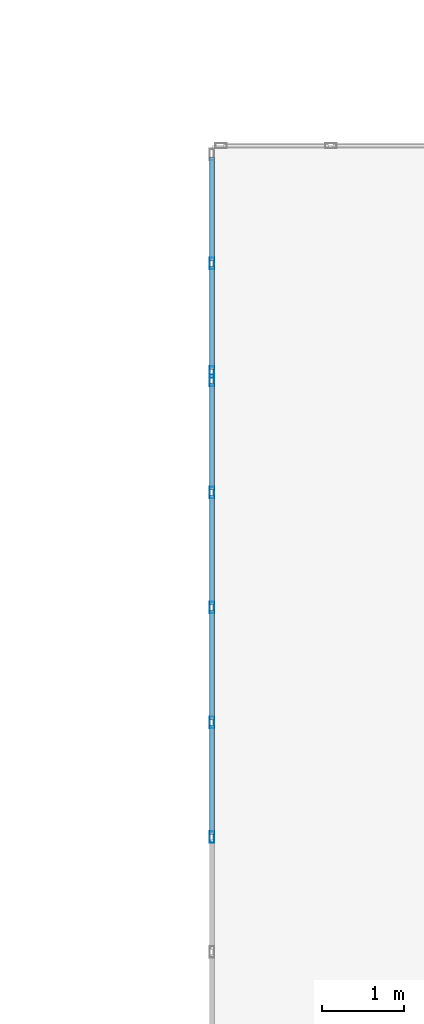
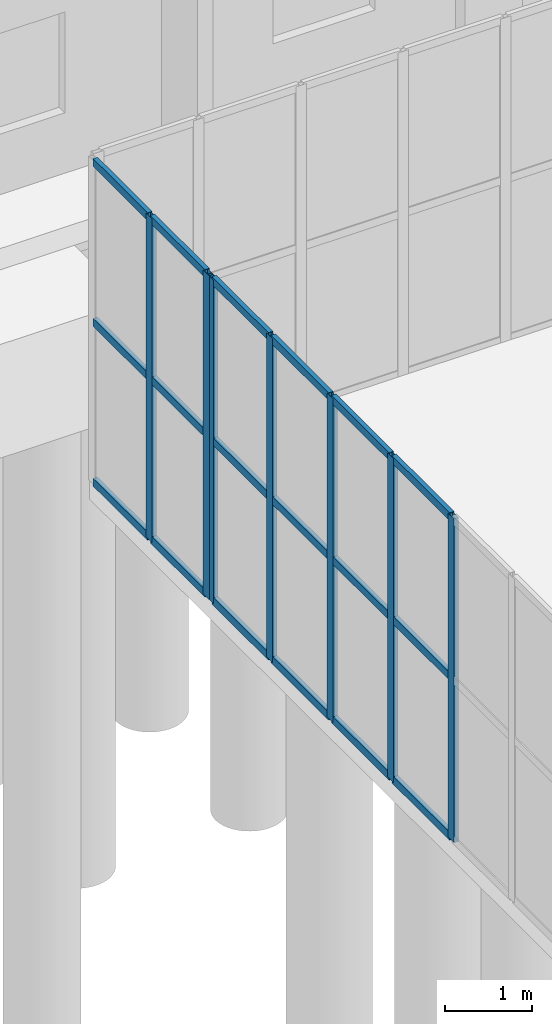
# One storey, part 113 of 192: 25 members, 2 elements without a shape of their own.
"""IFC4 building model written with IfcOpenShell, lengths in metres."""

from ifc_helpers import new_model, si_unit, direction, frame, origin, origin_2d, place, context, subcontext, project, spatial, hollow_rectangle, extrude, material, layer, layer_set, material_profile, profile_set, type_object, element, aggregate, save


model = new_model("IFC4")

# Units and contexts
model_context = context("Model", 3, precision=1e-05, world=origin(), true_north=direction((0.0, 1.0)))
body_context = subcontext(model_context, "Body", "Model", "MODEL_VIEW")
ifc_project = project(units=[si_unit("LENGTHUNIT", "METRE"), si_unit("AREAUNIT", "SQUARE_METRE"), si_unit("VOLUMEUNIT", "CUBIC_METRE"), si_unit("PLANEANGLEUNIT", "RADIAN"), si_unit("MASSUNIT", "GRAM", prefix="KILO")], contexts=[model_context])

# Site, building, storey
site_placement = place(None, origin())
site = spatial("IfcSite", under=ifc_project, at=site_placement, CompositionType="ELEMENT")
building_placement = place(site_placement, origin())
building = spatial("IfcBuilding", under=site, at=building_placement, Name="Trelvath General Hospital", CompositionType="ELEMENT")
storey_placement = place(building_placement, origin())
storey = spatial("IfcBuildingStorey", under=building, at=storey_placement, Name="L00", CompositionType="ELEMENT", Elevation=0.0)

# Curtain wall, members
ifc_material_1 = material(Name="Anodised aluminium and low-E glass", Category="aluminium")
ifc_layer_1 = layer(ifc_material_1, 0.139892578125)
ifc_layer_set_1 = layer_set([ifc_layer_1], Name="Anodised aluminium and low-E glass")
curtain_wall_type_1 = type_object("IfcCurtainWallType", Name="CW CrystalCube 836 456 14", PredefinedType="USERDEFINED", material=ifc_layer_set_1)
curtain_wall_1_placement = place(storey_placement, origin())
curtain_wall_1 = element("IfcCurtainWall", 1, at=curtain_wall_1_placement, inside=storey, type_object=curtain_wall_type_1, Name="Crystal Cube Curtain Wall CUBE-E-T0 W6 L00", ObjectType="Unitised Glazed Curtain Wall", PredefinedType="USERDEFINED")
ifc_material_2 = material(Name="Anodised aluminium", Category="aluminium")
ifc_material_profile_1 = material_profile(ifc_material_2, hollow_rectangle(XDim=0.06005859375, YDim=0.139892578125, WallThickness=0.00390625, at=origin_2d()), Name="RHS60x140x4")
ifc_profile_set_1 = profile_set([ifc_material_profile_1], Name="Anodised aluminium")
member_type_1 = type_object("IfcMemberType", Name="CurtainMullion 60x140", PredefinedType="MULLION", material=ifc_profile_set_1)
member_1_placement = place(storey_placement, frame((92.39990234375, 78.40673828125, 0.0), z_axis=(0.0, 0.0, 1.0), x_axis=(-1.0, 0.0, 0.0)))
member_1 = element("IfcMember", 2, at=member_1_placement, type_object=member_type_1, Name="CW-125 mullion 3", PredefinedType="MULLION", context=body_context, shape_type="SweptSolid", body=[
    extrude(hollow_rectangle(XDim=0.06005859375, YDim=0.139892578125, WallThickness=0.00390625, at=origin_2d()), origin(), (0.0, 0.0, 1.0), 4.56005859375),
])
member_2_placement = place(storey_placement, frame((92.39990234375, 79.800048828125, 0.0), z_axis=(0.0, 0.0, 1.0), x_axis=(-1.0, 0.0, 0.0)))
member_2 = element("IfcMember", 3, at=member_2_placement, type_object=member_type_1, Name="CW-125 mullion 4", PredefinedType="MULLION", context=body_context, shape_type="SweptSolid", body=[
    extrude(hollow_rectangle(XDim=0.06005859375, YDim=0.139892578125, WallThickness=0.00390625, at=origin_2d()), origin(), (0.0, 0.0, 1.0), 4.56005859375),
])
member_3_placement = place(storey_placement, frame((92.39990234375, 81.193359375, 0.0), z_axis=(0.0, 0.0, 1.0), x_axis=(-1.0, 0.0, 0.0)))
member_3 = element("IfcMember", 4, at=member_3_placement, type_object=member_type_1, Name="CW-125 mullion 5", PredefinedType="MULLION", context=body_context, shape_type="SweptSolid", body=[
    extrude(hollow_rectangle(XDim=0.06005859375, YDim=0.139892578125, WallThickness=0.00390625, at=origin_2d()), origin(), (0.0, 0.0, 1.0), 4.56005859375),
])
member_4_placement = place(storey_placement, frame((92.39990234375, 82.586669921875, 0.0), z_axis=(0.0, 0.0, 1.0), x_axis=(-1.0, 0.0, 0.0)))
member_4 = element("IfcMember", 5, at=member_4_placement, type_object=member_type_1, Name="CW-125 mullion 6", PredefinedType="MULLION", context=body_context, shape_type="SweptSolid", body=[
    extrude(hollow_rectangle(XDim=0.06005859375, YDim=0.139892578125, WallThickness=0.00390625, at=origin_2d()), origin(), (0.0, 0.0, 1.0), 4.56005859375),
])
member_5_placement = place(storey_placement, frame((92.39990234375, 83.949951171875, 0.0), z_axis=(0.0, 0.0, 1.0), x_axis=(-1.0, 0.0, 0.0)))
member_5 = element("IfcMember", 6, at=member_5_placement, type_object=member_type_1, Name="CW-125 mullion 7", PredefinedType="MULLION", context=body_context, shape_type="SweptSolid", body=[
    extrude(hollow_rectangle(XDim=0.06005859375, YDim=0.139892578125, WallThickness=0.00390625, at=origin_2d()), origin(), (0.0, 0.0, 1.0), 4.56005859375),
])

ifc_material_3 = material(Name="Anodised aluminium and low-E glass", Category="aluminium")
ifc_layer_2 = layer(ifc_material_3, 0.139892578125)
ifc_layer_set_2 = layer_set([ifc_layer_2], Name="Anodised aluminium and low-E glass")
curtain_wall_type_2 = type_object("IfcCurtainWallType", Name="CW CrystalCube 270 456 14", PredefinedType="USERDEFINED", material=ifc_layer_set_2)
curtain_wall_2_placement = place(storey_placement, origin())
curtain_wall_2 = element("IfcCurtainWall", 7, at=curtain_wall_2_placement, inside=storey, type_object=curtain_wall_type_2, Name="Crystal Cube Curtain Wall CUBE-E-T0 W7 L00", ObjectType="Unitised Glazed Curtain Wall", PredefinedType="USERDEFINED")
member_6_placement = place(storey_placement, frame((92.39990234375, 84.050048828125, 0.0), z_axis=(0.0, 0.0, 1.0), x_axis=(-1.0, 0.0, 0.0)))
member_6 = element("IfcMember", 8, at=member_6_placement, type_object=member_type_1, Name="CW-127 mullion 1", PredefinedType="MULLION", context=body_context, shape_type="SweptSolid", body=[
    extrude(hollow_rectangle(XDim=0.06005859375, YDim=0.139892578125, WallThickness=0.00390625, at=origin_2d()), origin(), (0.0, 0.0, 1.0), 4.56005859375),
])
member_7_placement = place(storey_placement, frame((92.39990234375, 85.3701171875, 0.0), z_axis=(0.0, 0.0, 1.0), x_axis=(-1.0, 0.0, 0.0)))
member_7 = element("IfcMember", 9, at=member_7_placement, type_object=member_type_1, Name="CW-127 mullion 2", PredefinedType="MULLION", context=body_context, shape_type="SweptSolid", body=[
    extrude(hollow_rectangle(XDim=0.06005859375, YDim=0.139892578125, WallThickness=0.00390625, at=origin_2d()), origin(), (0.0, 0.0, 1.0), 4.56005859375),
])

# Member
ifc_material_4 = material(Name="Anodised aluminium", Category="aluminium")
ifc_material_profile_2 = material_profile(ifc_material_4, hollow_rectangle(XDim=0.06005859375, YDim=0.110107421875, WallThickness=0.00390625, at=origin_2d()), Name="RHS60x110x4")
ifc_profile_set_2 = profile_set([ifc_material_profile_2], Name="Anodised aluminium")
member_type_2 = type_object("IfcMemberType", Name="CurtainTransom 60x110", PredefinedType="USERDEFINED", material=ifc_profile_set_2)
member_8_placement = place(storey_placement, frame((92.39990234375, 78.436767578125, 0.030029296875), z_axis=(0.0, 1.0, 0.0), x_axis=(-1.0, 0.0, 0.0)))
member_8 = element("IfcMember", 10, at=member_8_placement, type_object=member_type_2, Name="CW-125 transom 3.1", ObjectType="TRANSOM", PredefinedType="USERDEFINED", context=body_context, shape_type="SweptSolid", body=[
    extrude(hollow_rectangle(XDim=0.06005859375, YDim=0.110107421875, WallThickness=0.00390625, at=origin_2d()), origin(), (0.0, 0.0, 1.0), 1.333251953125),
])

member_9_placement = place(storey_placement, frame((92.39990234375, 78.436767578125, 2.280029296875), z_axis=(0.0, 1.0, 0.0), x_axis=(-1.0, 0.0, 0.0)))
member_9 = element("IfcMember", 11, at=member_9_placement, type_object=member_type_2, Name="CW-125 transom 3.2", ObjectType="TRANSOM", PredefinedType="USERDEFINED", context=body_context, shape_type="SweptSolid", body=[
    extrude(hollow_rectangle(XDim=0.06005859375, YDim=0.110107421875, WallThickness=0.00390625, at=origin_2d()), origin(), (0.0, 0.0, 1.0), 1.333251953125),
])

member_10_placement = place(storey_placement, frame((92.39990234375, 78.436767578125, 4.530029296875), z_axis=(0.0, 1.0, 0.0), x_axis=(-1.0, 0.0, 0.0)))
member_10 = element("IfcMember", 12, at=member_10_placement, type_object=member_type_2, Name="CW-125 transom 3.3", ObjectType="TRANSOM", PredefinedType="USERDEFINED", context=body_context, shape_type="SweptSolid", body=[
    extrude(hollow_rectangle(XDim=0.06005859375, YDim=0.110107421875, WallThickness=0.00390625, at=origin_2d()), origin(), (0.0, 0.0, 1.0), 1.333251953125),
])

member_11_placement = place(storey_placement, frame((92.39990234375, 79.830078125, 0.030029296875), z_axis=(0.0, 1.0, 0.0), x_axis=(-1.0, 0.0, 0.0)))
member_11 = element("IfcMember", 13, at=member_11_placement, type_object=member_type_2, Name="CW-125 transom 4.1", ObjectType="TRANSOM", PredefinedType="USERDEFINED", context=body_context, shape_type="SweptSolid", body=[
    extrude(hollow_rectangle(XDim=0.06005859375, YDim=0.110107421875, WallThickness=0.00390625, at=origin_2d()), origin(), (0.0, 0.0, 1.0), 1.333251953125),
])

member_12_placement = place(storey_placement, frame((92.39990234375, 79.830078125, 2.280029296875), z_axis=(0.0, 1.0, 0.0), x_axis=(-1.0, 0.0, 0.0)))
member_12 = element("IfcMember", 14, at=member_12_placement, type_object=member_type_2, Name="CW-125 transom 4.2", ObjectType="TRANSOM", PredefinedType="USERDEFINED", context=body_context, shape_type="SweptSolid", body=[
    extrude(hollow_rectangle(XDim=0.06005859375, YDim=0.110107421875, WallThickness=0.00390625, at=origin_2d()), origin(), (0.0, 0.0, 1.0), 1.333251953125),
])

member_13_placement = place(storey_placement, frame((92.39990234375, 79.830078125, 4.530029296875), z_axis=(0.0, 1.0, 0.0), x_axis=(-1.0, 0.0, 0.0)))
member_13 = element("IfcMember", 15, at=member_13_placement, type_object=member_type_2, Name="CW-125 transom 4.3", ObjectType="TRANSOM", PredefinedType="USERDEFINED", context=body_context, shape_type="SweptSolid", body=[
    extrude(hollow_rectangle(XDim=0.06005859375, YDim=0.110107421875, WallThickness=0.00390625, at=origin_2d()), origin(), (0.0, 0.0, 1.0), 1.333251953125),
])

member_14_placement = place(storey_placement, frame((92.39990234375, 81.223388671875, 0.030029296875), z_axis=(0.0, 1.0, 0.0), x_axis=(-1.0, 0.0, 0.0)))
member_14 = element("IfcMember", 16, at=member_14_placement, type_object=member_type_2, Name="CW-125 transom 5.1", ObjectType="TRANSOM", PredefinedType="USERDEFINED", context=body_context, shape_type="SweptSolid", body=[
    extrude(hollow_rectangle(XDim=0.06005859375, YDim=0.110107421875, WallThickness=0.00390625, at=origin_2d()), origin(), (0.0, 0.0, 1.0), 1.333251953125),
])

member_15_placement = place(storey_placement, frame((92.39990234375, 81.223388671875, 2.280029296875), z_axis=(0.0, 1.0, 0.0), x_axis=(-1.0, 0.0, 0.0)))
member_15 = element("IfcMember", 17, at=member_15_placement, type_object=member_type_2, Name="CW-125 transom 5.2", ObjectType="TRANSOM", PredefinedType="USERDEFINED", context=body_context, shape_type="SweptSolid", body=[
    extrude(hollow_rectangle(XDim=0.06005859375, YDim=0.110107421875, WallThickness=0.00390625, at=origin_2d()), origin(), (0.0, 0.0, 1.0), 1.333251953125),
])

member_16_placement = place(storey_placement, frame((92.39990234375, 81.223388671875, 4.530029296875), z_axis=(0.0, 1.0, 0.0), x_axis=(-1.0, 0.0, 0.0)))
member_16 = element("IfcMember", 18, at=member_16_placement, type_object=member_type_2, Name="CW-125 transom 5.3", ObjectType="TRANSOM", PredefinedType="USERDEFINED", context=body_context, shape_type="SweptSolid", body=[
    extrude(hollow_rectangle(XDim=0.06005859375, YDim=0.110107421875, WallThickness=0.00390625, at=origin_2d()), origin(), (0.0, 0.0, 1.0), 1.333251953125),
])

member_17_placement = place(storey_placement, frame((92.39990234375, 82.61669921875, 0.030029296875), z_axis=(0.0, 1.0, 0.0), x_axis=(-1.0, 0.0, 0.0)))
member_17 = element("IfcMember", 19, at=member_17_placement, type_object=member_type_2, Name="CW-125 transom 6.1", ObjectType="TRANSOM", PredefinedType="USERDEFINED", context=body_context, shape_type="SweptSolid", body=[
    extrude(hollow_rectangle(XDim=0.06005859375, YDim=0.110107421875, WallThickness=0.00390625, at=origin_2d()), origin(), (0.0, 0.0, 1.0), 1.30322265625),
])

member_18_placement = place(storey_placement, frame((92.39990234375, 82.61669921875, 2.280029296875), z_axis=(0.0, 1.0, 0.0), x_axis=(-1.0, 0.0, 0.0)))
member_18 = element("IfcMember", 20, at=member_18_placement, type_object=member_type_2, Name="CW-125 transom 6.2", ObjectType="TRANSOM", PredefinedType="USERDEFINED", context=body_context, shape_type="SweptSolid", body=[
    extrude(hollow_rectangle(XDim=0.06005859375, YDim=0.110107421875, WallThickness=0.00390625, at=origin_2d()), origin(), (0.0, 0.0, 1.0), 1.30322265625),
])

member_19_placement = place(storey_placement, frame((92.39990234375, 82.61669921875, 4.530029296875), z_axis=(0.0, 1.0, 0.0), x_axis=(-1.0, 0.0, 0.0)))
member_19 = element("IfcMember", 21, at=member_19_placement, type_object=member_type_2, Name="CW-125 transom 6.3", ObjectType="TRANSOM", PredefinedType="USERDEFINED", context=body_context, shape_type="SweptSolid", body=[
    extrude(hollow_rectangle(XDim=0.06005859375, YDim=0.110107421875, WallThickness=0.00390625, at=origin_2d()), origin(), (0.0, 0.0, 1.0), 1.30322265625),
])

aggregate(curtain_wall_1, [member_1, member_2, member_3, member_4, member_5, member_8, member_9, member_10, member_11, member_12, member_13, member_14, member_15, member_16, member_17, member_18, member_19])

member_20_placement = place(storey_placement, frame((92.39990234375, 84.080078125, 0.030029296875), z_axis=(0.0, 1.0, 0.0), x_axis=(-1.0, 0.0, 0.0)))
member_20 = element("IfcMember", 22, at=member_20_placement, type_object=member_type_2, Name="CW-127 transom 1.1", ObjectType="TRANSOM", PredefinedType="USERDEFINED", context=body_context, shape_type="SweptSolid", body=[
    extrude(hollow_rectangle(XDim=0.06005859375, YDim=0.110107421875, WallThickness=0.00390625, at=origin_2d()), origin(), (0.0, 0.0, 1.0), 1.260009765625),
])

member_21_placement = place(storey_placement, frame((92.39990234375, 84.080078125, 2.280029296875), z_axis=(0.0, 1.0, 0.0), x_axis=(-1.0, 0.0, 0.0)))
member_21 = element("IfcMember", 23, at=member_21_placement, type_object=member_type_2, Name="CW-127 transom 1.2", ObjectType="TRANSOM", PredefinedType="USERDEFINED", context=body_context, shape_type="SweptSolid", body=[
    extrude(hollow_rectangle(XDim=0.06005859375, YDim=0.110107421875, WallThickness=0.00390625, at=origin_2d()), origin(), (0.0, 0.0, 1.0), 1.260009765625),
])

member_22_placement = place(storey_placement, frame((92.39990234375, 84.080078125, 4.530029296875), z_axis=(0.0, 1.0, 0.0), x_axis=(-1.0, 0.0, 0.0)))
member_22 = element("IfcMember", 24, at=member_22_placement, type_object=member_type_2, Name="CW-127 transom 1.3", ObjectType="TRANSOM", PredefinedType="USERDEFINED", context=body_context, shape_type="SweptSolid", body=[
    extrude(hollow_rectangle(XDim=0.06005859375, YDim=0.110107421875, WallThickness=0.00390625, at=origin_2d()), origin(), (0.0, 0.0, 1.0), 1.260009765625),
])

member_23_placement = place(storey_placement, frame((92.39990234375, 85.39990234375, 0.030029296875), z_axis=(0.0, 1.0, 0.0), x_axis=(-1.0, 0.0, 0.0)))
member_23 = element("IfcMember", 25, at=member_23_placement, type_object=member_type_2, Name="CW-127 transom 2.1", ObjectType="TRANSOM", PredefinedType="USERDEFINED", context=body_context, shape_type="SweptSolid", body=[
    extrude(hollow_rectangle(XDim=0.06005859375, YDim=0.110107421875, WallThickness=0.00390625, at=origin_2d()), origin(), (0.0, 0.0, 1.0), 1.260009765625),
])

member_24_placement = place(storey_placement, frame((92.39990234375, 85.39990234375, 2.280029296875), z_axis=(0.0, 1.0, 0.0), x_axis=(-1.0, 0.0, 0.0)))
member_24 = element("IfcMember", 26, at=member_24_placement, type_object=member_type_2, Name="CW-127 transom 2.2", ObjectType="TRANSOM", PredefinedType="USERDEFINED", context=body_context, shape_type="SweptSolid", body=[
    extrude(hollow_rectangle(XDim=0.06005859375, YDim=0.110107421875, WallThickness=0.00390625, at=origin_2d()), origin(), (0.0, 0.0, 1.0), 1.260009765625),
])

member_25_placement = place(storey_placement, frame((92.39990234375, 85.39990234375, 4.530029296875), z_axis=(0.0, 1.0, 0.0), x_axis=(-1.0, 0.0, 0.0)))
member_25 = element("IfcMember", 27, at=member_25_placement, type_object=member_type_2, Name="CW-127 transom 2.3", ObjectType="TRANSOM", PredefinedType="USERDEFINED", context=body_context, shape_type="SweptSolid", body=[
    extrude(hollow_rectangle(XDim=0.06005859375, YDim=0.110107421875, WallThickness=0.00390625, at=origin_2d()), origin(), (0.0, 0.0, 1.0), 1.260009765625),
])

aggregate(curtain_wall_2, [member_6, member_7, member_20, member_21, member_22, member_23, member_24, member_25])

save(model, "model.ifc")
